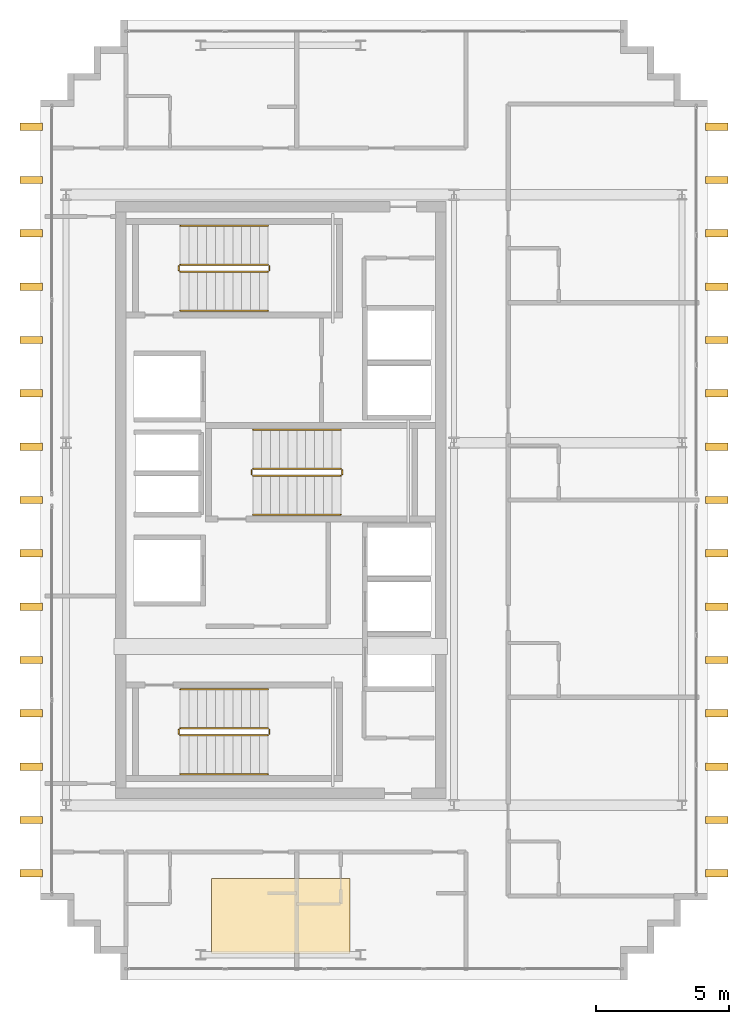
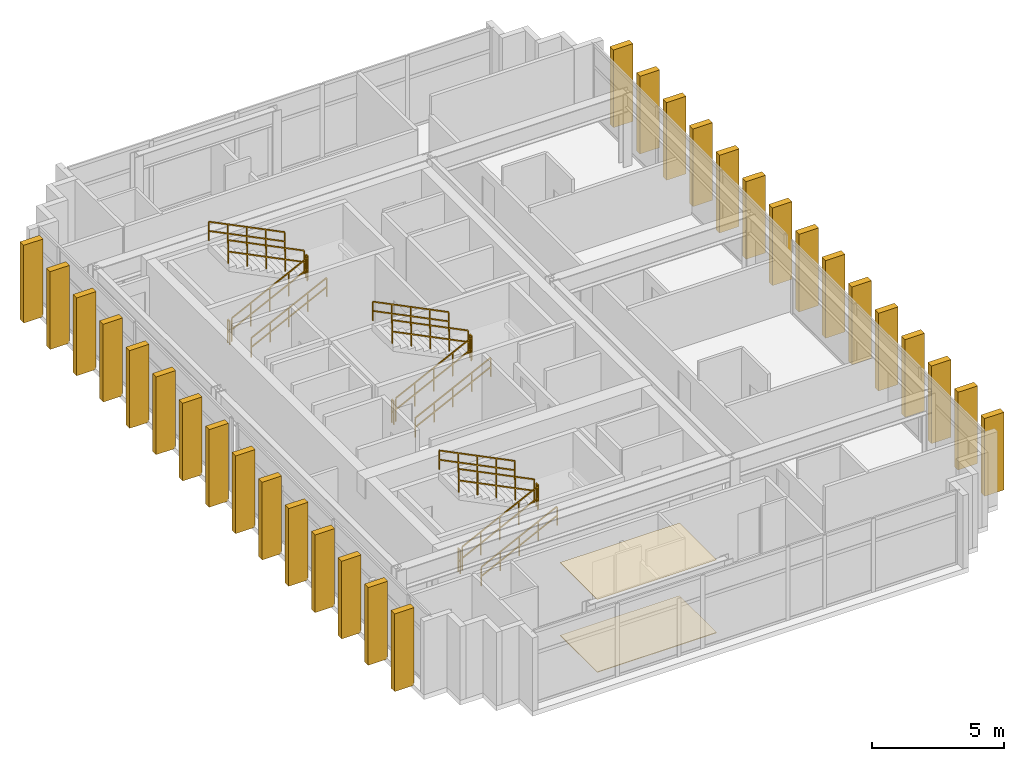
# One storey, part 15 of 15: 30 shading devices, 18 railings, 2 coverings.
"""IFC4 building model written with IfcOpenShell, lengths in metres."""

from ifc_helpers import new_model, si_unit, direction, frame, origin, origin_2d, place, context, subcontext, project, spatial, polyline, rectangle, outline, extrude, source, transform, mapped, material, layer, layer_set, type_object, element, save


model = new_model("IFC4")

# Units and contexts
model_context = context("Model", 3, precision=1e-05, world=origin(), true_north=direction((0.0, 1.0)))
body_context = subcontext(model_context, "Body", "Model", "MODEL_VIEW")
ifc_project = project(units=[si_unit("LENGTHUNIT", "METRE"), si_unit("AREAUNIT", "SQUARE_METRE"), si_unit("VOLUMEUNIT", "CUBIC_METRE"), si_unit("PLANEANGLEUNIT", "RADIAN"), si_unit("MASSUNIT", "GRAM", prefix="KILO")], contexts=[model_context])

# Site, building, storey
site_placement = place(None, origin())
site = spatial("IfcSite", under=ifc_project, at=site_placement, CompositionType="ELEMENT")
building_placement = place(site_placement, origin())
building = spatial("IfcBuilding", under=site, at=building_placement, Name="Ocotamira Hotel", CompositionType="ELEMENT")
storey_placement = place(building_placement, frame((0.0, 0.0, 290.39990234375)))
storey = spatial("IfcBuildingStorey", under=building, at=storey_placement, Name="L74", CompositionType="ELEMENT", Elevation=290.39990234375)

# Coverings
ifc_material_1 = material(Name="Perforated acoustic gypsum ceiling board", Category="gypsum")
ifc_layer_1 = layer(ifc_material_1, 0.02490234375)
ifc_layer_set_1 = layer_set([ifc_layer_1], Name="Perforated acoustic gypsum ceiling board")
covering_type_1 = type_object("IfcCoveringType", Name="COV-CEIL-25", PredefinedType="CEILING", material=ifc_layer_set_1)
covering_1_placement = place(storey_placement, frame((0.0, 0.0, 3.35498046875)))
element("IfcCovering", 1, at=covering_1_placement, inside=storey, type_object=covering_type_1, Name="L74 Acoustic Ceiling", PredefinedType="CEILING", context=body_context, shape_type="SweptSolid", body=[
    extrude(outline(polyline([(14.39990234375, 9.0), (19.60009765625, 9.0), (19.60009765625, 11.800048828125), (14.39990234375, 11.800048828125), (14.39990234375, 9.0)])), origin(), (0.0, 0.0, 1.0), 0.025146484375),
])
ifc_material_2 = material(Name="Honed desert travertine stone flooring", Category="masonry")
ifc_layer_2 = layer(ifc_material_2, 0.030029296875)
ifc_layer_set_2 = layer_set([ifc_layer_2], Name="Honed desert travertine stone flooring")
covering_type_2 = type_object("IfcCoveringType", Name="COV-FLOR-30", PredefinedType="FLOORING", material=ifc_layer_set_2)
covering_2_placement = place(storey_placement, origin())
element("IfcCovering", 2, at=covering_2_placement, inside=storey, type_object=covering_type_2, Name="L74 Honed Stone Floor Finish", PredefinedType="FLOORING", context=body_context, shape_type="SweptSolid", body=[
    extrude(outline(polyline([(14.39990234375, 9.0), (19.60009765625, 9.0), (19.60009765625, 11.800048828125), (14.39990234375, 11.800048828125), (14.39990234375, 9.0)])), origin(), (0.0, 0.0, 1.0), 0.030029296875),
])

# Railings
ifc_material_3 = material(Name="Brushed stainless steel handrail", Category="steel")
railing_type_1 = type_object("IfcRailingType", Name="RL-HAND-900", PredefinedType="HANDRAIL", material=ifc_material_3)
railing_1_placement = place(storey_placement, frame((13.22998046875, 15.719970703125, 0.327392578125)))
element("IfcRailing", 3, at=railing_1_placement, inside=storey, type_object=railing_type_1, Name="L74 ST-1 stair handrail 1", PredefinedType="HANDRAIL", context=body_context, shape_type="SweptSolid", body=[
    extrude(rectangle(XDim=0.048095703125, YDim=0.048095703125, at=origin_2d()), frame((0.0, 0.0, 0.8759765625), z_axis=(0.895920123917, 0.0, 0.444215186098), x_axis=(0.0, 1.0, 0.0)), (0.0, 0.0, 1.0), 3.683349609375),
    extrude(rectangle(XDim=0.048095703125, YDim=0.048095703125, at=origin_2d()), frame((0.0, 0.0, 0.449951171875), z_axis=(0.895920123917, 0.0, 0.444215186098), x_axis=(0.0, 1.0, 0.0)), (0.0, 0.0, 1.0), 3.683349609375),
    extrude(rectangle(XDim=0.0419921875, YDim=0.0419921875, at=origin_2d()), origin(), (0.0, 0.0, 1.0), 0.851806640625),
    extrude(rectangle(XDim=0.0419921875, YDim=0.0419921875, at=origin_2d()), frame((0.824951171875, 0.0, 0.4091796875)), (0.0, 0.0, 1.0), 0.851806640625),
    extrude(rectangle(XDim=0.0419921875, YDim=0.0419921875, at=origin_2d()), frame((1.64990234375, 0.0, 0.818115234375)), (0.0, 0.0, 1.0), 0.851806640625),
    extrude(rectangle(XDim=0.0419921875, YDim=0.0419921875, at=origin_2d()), frame((2.47509765625, 0.0, 1.22705078125)), (0.0, 0.0, 1.0), 0.851806640625),
    extrude(rectangle(XDim=0.0419921875, YDim=0.0419921875, at=origin_2d()), frame((3.300048828125, 0.0, 1.63623046875)), (0.0, 0.0, 1.0), 0.851806640625),
])
railing_2_placement = place(storey_placement, frame((16.530029296875, 18.89990234375, 2.12744140625)))
element("IfcRailing", 4, at=railing_2_placement, inside=storey, type_object=railing_type_1, Name="L74 ST-1 stair handrail 2", PredefinedType="HANDRAIL", context=body_context, shape_type="SweptSolid", body=[
    extrude(rectangle(XDim=0.048095703125, YDim=0.048095703125, at=origin_2d()), frame((0.0, 0.0, 0.8759765625), z_axis=(-0.895920123917, 0.0, 0.444215186098), x_axis=(0.0, -1.0, 0.0)), (0.0, 0.0, 1.0), 3.683349609375),
    extrude(rectangle(XDim=0.048095703125, YDim=0.048095703125, at=origin_2d()), frame((0.0, 0.0, 0.449951171875), z_axis=(-0.895920123917, 0.0, 0.444215186098), x_axis=(0.0, -1.0, 0.0)), (0.0, 0.0, 1.0), 3.683349609375),
    extrude(rectangle(XDim=0.0419921875, YDim=0.0419921875, at=origin_2d()), origin(), (0.0, 0.0, 1.0), 0.851806640625),
    extrude(rectangle(XDim=0.0419921875, YDim=0.0419921875, at=origin_2d()), frame((-0.824951171875, 0.0, 0.4091796875)), (0.0, 0.0, 1.0), 0.851806640625),
    extrude(rectangle(XDim=0.0419921875, YDim=0.0419921875, at=origin_2d()), frame((-1.64990234375, 0.0, 0.818115234375)), (0.0, 0.0, 1.0), 0.851806640625),
    extrude(rectangle(XDim=0.0419921875, YDim=0.0419921875, at=origin_2d()), frame((-2.47509765625, 0.0, 1.22705078125)), (0.0, 0.0, 1.0), 0.851806640625),
    extrude(rectangle(XDim=0.0419921875, YDim=0.0419921875, at=origin_2d()), frame((-3.300048828125, 0.0, 1.63623046875)), (0.0, 0.0, 1.0), 0.851806640625),
])
railing_3_placement = place(storey_placement, frame((13.22998046875, 33.10009765625, 0.327392578125)))
element("IfcRailing", 5, at=railing_3_placement, inside=storey, type_object=railing_type_1, Name="L74 ST-2 stair handrail 1", PredefinedType="HANDRAIL", context=body_context, shape_type="SweptSolid", body=[
    extrude(rectangle(XDim=0.048095703125, YDim=0.048095703125, at=origin_2d()), frame((0.0, 0.0, 0.8759765625), z_axis=(0.895920123917, 0.0, 0.444215186098), x_axis=(0.0, 1.0, 0.0)), (0.0, 0.0, 1.0), 3.683349609375),
    extrude(rectangle(XDim=0.048095703125, YDim=0.048095703125, at=origin_2d()), frame((0.0, 0.0, 0.449951171875), z_axis=(0.895920123917, 0.0, 0.444215186098), x_axis=(0.0, 1.0, 0.0)), (0.0, 0.0, 1.0), 3.683349609375),
    extrude(rectangle(XDim=0.0419921875, YDim=0.0419921875, at=origin_2d()), origin(), (0.0, 0.0, 1.0), 0.851806640625),
    extrude(rectangle(XDim=0.0419921875, YDim=0.0419921875, at=origin_2d()), frame((0.824951171875, 0.0, 0.4091796875)), (0.0, 0.0, 1.0), 0.851806640625),
    extrude(rectangle(XDim=0.0419921875, YDim=0.0419921875, at=origin_2d()), frame((1.64990234375, 0.0, 0.818115234375)), (0.0, 0.0, 1.0), 0.851806640625),
    extrude(rectangle(XDim=0.0419921875, YDim=0.0419921875, at=origin_2d()), frame((2.47509765625, 0.0, 1.22705078125)), (0.0, 0.0, 1.0), 0.851806640625),
    extrude(rectangle(XDim=0.0419921875, YDim=0.0419921875, at=origin_2d()), frame((3.300048828125, 0.0, 1.63623046875)), (0.0, 0.0, 1.0), 0.851806640625),
])
railing_4_placement = place(storey_placement, frame((16.530029296875, 36.280029296875, 2.12744140625)))
element("IfcRailing", 6, at=railing_4_placement, inside=storey, type_object=railing_type_1, Name="L74 ST-2 stair handrail 2", PredefinedType="HANDRAIL", context=body_context, shape_type="SweptSolid", body=[
    extrude(rectangle(XDim=0.048095703125, YDim=0.048095703125, at=origin_2d()), frame((0.0, 0.0, 0.8759765625), z_axis=(-0.895920123917, 0.0, 0.444215186098), x_axis=(0.0, -1.0, 0.0)), (0.0, 0.0, 1.0), 3.683349609375),
    extrude(rectangle(XDim=0.048095703125, YDim=0.048095703125, at=origin_2d()), frame((0.0, 0.0, 0.449951171875), z_axis=(-0.895920123917, 0.0, 0.444215186098), x_axis=(0.0, -1.0, 0.0)), (0.0, 0.0, 1.0), 3.683349609375),
    extrude(rectangle(XDim=0.0419921875, YDim=0.0419921875, at=origin_2d()), origin(), (0.0, 0.0, 1.0), 0.851806640625),
    extrude(rectangle(XDim=0.0419921875, YDim=0.0419921875, at=origin_2d()), frame((-0.824951171875, 0.0, 0.4091796875)), (0.0, 0.0, 1.0), 0.851806640625),
    extrude(rectangle(XDim=0.0419921875, YDim=0.0419921875, at=origin_2d()), frame((-1.64990234375, 0.0, 0.818115234375)), (0.0, 0.0, 1.0), 0.851806640625),
    extrude(rectangle(XDim=0.0419921875, YDim=0.0419921875, at=origin_2d()), frame((-2.47509765625, 0.0, 1.22705078125)), (0.0, 0.0, 1.0), 0.851806640625),
    extrude(rectangle(XDim=0.0419921875, YDim=0.0419921875, at=origin_2d()), frame((-3.300048828125, 0.0, 1.63623046875)), (0.0, 0.0, 1.0), 0.851806640625),
])
railing_5_placement = place(storey_placement, frame((15.9599609375, 25.449951171875, 0.327392578125)))
element("IfcRailing", 7, at=railing_5_placement, inside=storey, type_object=railing_type_1, Name="L74 ST-3 stair handrail 1", PredefinedType="HANDRAIL", context=body_context, shape_type="SweptSolid", body=[
    extrude(rectangle(XDim=0.048095703125, YDim=0.048095703125, at=origin_2d()), frame((0.0, 0.0, 0.8759765625), z_axis=(0.895920123917, 0.0, 0.444215186098), x_axis=(0.0, 1.0, 0.0)), (0.0, 0.0, 1.0), 3.683349609375),
    extrude(rectangle(XDim=0.048095703125, YDim=0.048095703125, at=origin_2d()), frame((0.0, 0.0, 0.449951171875), z_axis=(0.895920123917, 0.0, 0.444215186098), x_axis=(0.0, 1.0, 0.0)), (0.0, 0.0, 1.0), 3.683349609375),
    extrude(rectangle(XDim=0.0419921875, YDim=0.0419921875, at=origin_2d()), origin(), (0.0, 0.0, 1.0), 0.851806640625),
    extrude(rectangle(XDim=0.0419921875, YDim=0.0419921875, at=origin_2d()), frame((0.824951171875, 0.0, 0.4091796875)), (0.0, 0.0, 1.0), 0.851806640625),
    extrude(rectangle(XDim=0.0419921875, YDim=0.0419921875, at=origin_2d()), frame((1.64990234375, 0.0, 0.818115234375)), (0.0, 0.0, 1.0), 0.851806640625),
    extrude(rectangle(XDim=0.0419921875, YDim=0.0419921875, at=origin_2d()), frame((2.47509765625, 0.0, 1.22705078125)), (0.0, 0.0, 1.0), 0.851806640625),
    extrude(rectangle(XDim=0.0419921875, YDim=0.0419921875, at=origin_2d()), frame((3.300048828125, 0.0, 1.63623046875)), (0.0, 0.0, 1.0), 0.851806640625),
])
railing_6_placement = place(storey_placement, frame((19.260009765625, 28.6298828125, 2.12744140625)))
element("IfcRailing", 8, at=railing_6_placement, inside=storey, type_object=railing_type_1, Name="L74 ST-3 stair handrail 2", PredefinedType="HANDRAIL", context=body_context, shape_type="SweptSolid", body=[
    extrude(rectangle(XDim=0.048095703125, YDim=0.048095703125, at=origin_2d()), frame((0.0, 0.0, 0.8759765625), z_axis=(-0.895920123917, 0.0, 0.444215186098), x_axis=(0.0, -1.0, 0.0)), (0.0, 0.0, 1.0), 3.683349609375),
    extrude(rectangle(XDim=0.048095703125, YDim=0.048095703125, at=origin_2d()), frame((0.0, 0.0, 0.449951171875), z_axis=(-0.895920123917, 0.0, 0.444215186098), x_axis=(0.0, -1.0, 0.0)), (0.0, 0.0, 1.0), 3.683349609375),
    extrude(rectangle(XDim=0.0419921875, YDim=0.0419921875, at=origin_2d()), origin(), (0.0, 0.0, 1.0), 0.851806640625),
    extrude(rectangle(XDim=0.0419921875, YDim=0.0419921875, at=origin_2d()), frame((-0.824951171875, 0.0, 0.4091796875)), (0.0, 0.0, 1.0), 0.851806640625),
    extrude(rectangle(XDim=0.0419921875, YDim=0.0419921875, at=origin_2d()), frame((-1.64990234375, 0.0, 0.818115234375)), (0.0, 0.0, 1.0), 0.851806640625),
    extrude(rectangle(XDim=0.0419921875, YDim=0.0419921875, at=origin_2d()), frame((-2.47509765625, 0.0, 1.22705078125)), (0.0, 0.0, 1.0), 0.851806640625),
    extrude(rectangle(XDim=0.0419921875, YDim=0.0419921875, at=origin_2d()), frame((-3.300048828125, 0.0, 1.63623046875)), (0.0, 0.0, 1.0), 0.851806640625),
])
ifc_material_4 = material(Name="Painted steel stair guardrail", Category="steel")
railing_type_2 = type_object("IfcRailingType", Name="RL-STAIR-1100", PredefinedType="GUARDRAIL", material=ifc_material_4)
railing_7_placement = place(storey_placement, frame((13.22998046875, 17.179931640625, 0.163818359375)))
element("IfcRailing", 9, at=railing_7_placement, inside=storey, type_object=railing_type_2, Name="L74 ST-1 stair guard 1", PredefinedType="GUARDRAIL", context=body_context, shape_type="SweptSolid", body=[
    extrude(rectangle(XDim=0.048095703125, YDim=0.048095703125, at=origin_2d()), frame((0.0, 0.0, 1.076171875), z_axis=(0.895920123917, 0.0, 0.444215186098), x_axis=(0.0, 1.0, 0.0)), (0.0, 0.0, 1.0), 3.683349609375),
    extrude(rectangle(XDim=0.048095703125, YDim=0.048095703125, at=origin_2d()), frame((0.0, 0.0, 0.550048828125), z_axis=(0.895920123917, 0.0, 0.444215186098), x_axis=(0.0, 1.0, 0.0)), (0.0, 0.0, 1.0), 3.683349609375),
    extrude(rectangle(XDim=0.0419921875, YDim=0.0419921875, at=origin_2d()), origin(), (0.0, 0.0, 1.0), 1.052001953125),
    extrude(rectangle(XDim=0.0419921875, YDim=0.0419921875, at=origin_2d()), frame((0.824951171875, 0.0, 0.4091796875)), (0.0, 0.0, 1.0), 1.052001953125),
    extrude(rectangle(XDim=0.0419921875, YDim=0.0419921875, at=origin_2d()), frame((1.64990234375, 0.0, 0.818115234375)), (0.0, 0.0, 1.0), 1.052001953125),
    extrude(rectangle(XDim=0.0419921875, YDim=0.0419921875, at=origin_2d()), frame((2.47509765625, 0.0, 1.22705078125)), (0.0, 0.0, 1.0), 1.052001953125),
    extrude(rectangle(XDim=0.0419921875, YDim=0.0419921875, at=origin_2d()), frame((3.300048828125, 0.0, 1.63623046875)), (0.0, 0.0, 1.0), 1.052001953125),
])
railing_8_placement = place(storey_placement, frame((16.580078125, 17.22998046875, 1.800048828125)))
element("IfcRailing", 10, at=railing_8_placement, inside=storey, type_object=railing_type_2, Name="L74 ST-1 stair guard 2", PredefinedType="GUARDRAIL", context=body_context, shape_type="SweptSolid", body=[
    extrude(rectangle(XDim=0.048095703125, YDim=0.048095703125, at=origin_2d()), frame((0.0, 0.0, 1.076171875), z_axis=(0.0, 1.0, 0.0), x_axis=(-1.0, 0.0, 0.0)), (0.0, 0.0, 1.0), 0.159912109375),
    extrude(rectangle(XDim=0.048095703125, YDim=0.048095703125, at=origin_2d()), frame((0.0, 0.0, 0.550048828125), z_axis=(0.0, 1.0, 0.0), x_axis=(-1.0, 0.0, 0.0)), (0.0, 0.0, 1.0), 0.159912109375),
    extrude(rectangle(XDim=0.0419921875, YDim=0.0419921875, at=origin_2d()), origin(), (0.0, 0.0, 1.0), 1.052001953125),
    extrude(rectangle(XDim=0.0419921875, YDim=0.0419921875, at=origin_2d()), frame((0.0, 0.159912109375, 0.0)), (0.0, 0.0, 1.0), 1.052001953125),
])
railing_9_placement = place(storey_placement, frame((16.530029296875, 17.43994140625, 1.963623046875)))
element("IfcRailing", 11, at=railing_9_placement, inside=storey, type_object=railing_type_2, Name="L74 ST-1 stair guard 3", PredefinedType="GUARDRAIL", context=body_context, shape_type="SweptSolid", body=[
    extrude(rectangle(XDim=0.048095703125, YDim=0.048095703125, at=origin_2d()), frame((0.0, 0.0, 1.076171875), z_axis=(-0.895893744519, 0.0, 0.4442683857), x_axis=(0.0, -1.0, 0.0)), (0.0, 0.0, 1.0), 3.68359375),
    extrude(rectangle(XDim=0.048095703125, YDim=0.048095703125, at=origin_2d()), frame((0.0, 0.0, 0.550048828125), z_axis=(-0.895893744519, 0.0, 0.4442683857), x_axis=(0.0, -1.0, 0.0)), (0.0, 0.0, 1.0), 3.68359375),
    extrude(rectangle(XDim=0.0419921875, YDim=0.0419921875, at=origin_2d()), origin(), (0.0, 0.0, 1.0), 1.052001953125),
    extrude(rectangle(XDim=0.0419921875, YDim=0.0419921875, at=origin_2d()), frame((-0.824951171875, 0.0, 0.4091796875)), (0.0, 0.0, 1.0), 1.052001953125),
    extrude(rectangle(XDim=0.0419921875, YDim=0.0419921875, at=origin_2d()), frame((-1.64990234375, 0.0, 0.818359375)), (0.0, 0.0, 1.0), 1.052001953125),
    extrude(rectangle(XDim=0.0419921875, YDim=0.0419921875, at=origin_2d()), frame((-2.47509765625, 0.0, 1.227294921875)), (0.0, 0.0, 1.0), 1.052001953125),
    extrude(rectangle(XDim=0.0419921875, YDim=0.0419921875, at=origin_2d()), frame((-3.300048828125, 0.0, 1.636474609375)), (0.0, 0.0, 1.0), 1.052001953125),
])
railing_10_placement = place(storey_placement, frame((13.179931640625, 17.22998046875, 0.0)))
element("IfcRailing", 12, at=railing_10_placement, inside=storey, type_object=railing_type_2, Name="L74 ST-1 stair guard 4", PredefinedType="GUARDRAIL", context=body_context, shape_type="SweptSolid", body=[
    extrude(rectangle(XDim=0.048095703125, YDim=0.048095703125, at=origin_2d()), frame((0.0, 0.0, 1.076171875), z_axis=(0.0, 1.0, 0.0), x_axis=(-1.0, 0.0, 0.0)), (0.0, 0.0, 1.0), 0.159912109375),
    extrude(rectangle(XDim=0.048095703125, YDim=0.048095703125, at=origin_2d()), frame((0.0, 0.0, 0.550048828125), z_axis=(0.0, 1.0, 0.0), x_axis=(-1.0, 0.0, 0.0)), (0.0, 0.0, 1.0), 0.159912109375),
    extrude(rectangle(XDim=0.0419921875, YDim=0.0419921875, at=origin_2d()), origin(), (0.0, 0.0, 1.0), 1.052001953125),
    extrude(rectangle(XDim=0.0419921875, YDim=0.0419921875, at=origin_2d()), frame((0.0, 0.159912109375, 0.0)), (0.0, 0.0, 1.0), 1.052001953125),
])
railing_11_placement = place(storey_placement, frame((13.22998046875, 34.56005859375, 0.163818359375)))
element("IfcRailing", 13, at=railing_11_placement, inside=storey, type_object=railing_type_2, Name="L74 ST-2 stair guard 1", PredefinedType="GUARDRAIL", context=body_context, shape_type="SweptSolid", body=[
    extrude(rectangle(XDim=0.048095703125, YDim=0.048095703125, at=origin_2d()), frame((0.0, 0.0, 1.076171875), z_axis=(0.895920123917, 0.0, 0.444215186098), x_axis=(0.0, 1.0, 0.0)), (0.0, 0.0, 1.0), 3.683349609375),
    extrude(rectangle(XDim=0.048095703125, YDim=0.048095703125, at=origin_2d()), frame((0.0, 0.0, 0.550048828125), z_axis=(0.895920123917, 0.0, 0.444215186098), x_axis=(0.0, 1.0, 0.0)), (0.0, 0.0, 1.0), 3.683349609375),
    extrude(rectangle(XDim=0.0419921875, YDim=0.0419921875, at=origin_2d()), origin(), (0.0, 0.0, 1.0), 1.052001953125),
    extrude(rectangle(XDim=0.0419921875, YDim=0.0419921875, at=origin_2d()), frame((0.824951171875, 0.0, 0.4091796875)), (0.0, 0.0, 1.0), 1.052001953125),
    extrude(rectangle(XDim=0.0419921875, YDim=0.0419921875, at=origin_2d()), frame((1.64990234375, 0.0, 0.818115234375)), (0.0, 0.0, 1.0), 1.052001953125),
    extrude(rectangle(XDim=0.0419921875, YDim=0.0419921875, at=origin_2d()), frame((2.47509765625, 0.0, 1.22705078125)), (0.0, 0.0, 1.0), 1.052001953125),
    extrude(rectangle(XDim=0.0419921875, YDim=0.0419921875, at=origin_2d()), frame((3.300048828125, 0.0, 1.63623046875)), (0.0, 0.0, 1.0), 1.052001953125),
])
railing_12_placement = place(storey_placement, frame((16.580078125, 34.610107421875, 1.800048828125)))
element("IfcRailing", 14, at=railing_12_placement, inside=storey, type_object=railing_type_2, Name="L74 ST-2 stair guard 2", PredefinedType="GUARDRAIL", context=body_context, shape_type="SweptSolid", body=[
    extrude(rectangle(XDim=0.048095703125, YDim=0.048095703125, at=origin_2d()), frame((0.0, 0.0, 1.076171875), z_axis=(0.0, 1.0, 0.0), x_axis=(-1.0, 0.0, 0.0)), (0.0, 0.0, 1.0), 0.159912109375),
    extrude(rectangle(XDim=0.048095703125, YDim=0.048095703125, at=origin_2d()), frame((0.0, 0.0, 0.550048828125), z_axis=(0.0, 1.0, 0.0), x_axis=(-1.0, 0.0, 0.0)), (0.0, 0.0, 1.0), 0.159912109375),
    extrude(rectangle(XDim=0.0419921875, YDim=0.0419921875, at=origin_2d()), origin(), (0.0, 0.0, 1.0), 1.052001953125),
    extrude(rectangle(XDim=0.0419921875, YDim=0.0419921875, at=origin_2d()), frame((0.0, 0.159912109375, 0.0)), (0.0, 0.0, 1.0), 1.052001953125),
])
railing_13_placement = place(storey_placement, frame((16.530029296875, 34.820068359375, 1.963623046875)))
element("IfcRailing", 15, at=railing_13_placement, inside=storey, type_object=railing_type_2, Name="L74 ST-2 stair guard 3", PredefinedType="GUARDRAIL", context=body_context, shape_type="SweptSolid", body=[
    extrude(rectangle(XDim=0.048095703125, YDim=0.048095703125, at=origin_2d()), frame((0.0, 0.0, 1.076171875), z_axis=(-0.895893744519, 0.0, 0.4442683857), x_axis=(0.0, -1.0, 0.0)), (0.0, 0.0, 1.0), 3.68359375),
    extrude(rectangle(XDim=0.048095703125, YDim=0.048095703125, at=origin_2d()), frame((0.0, 0.0, 0.550048828125), z_axis=(-0.895893744519, 0.0, 0.4442683857), x_axis=(0.0, -1.0, 0.0)), (0.0, 0.0, 1.0), 3.68359375),
    extrude(rectangle(XDim=0.0419921875, YDim=0.0419921875, at=origin_2d()), origin(), (0.0, 0.0, 1.0), 1.052001953125),
    extrude(rectangle(XDim=0.0419921875, YDim=0.0419921875, at=origin_2d()), frame((-0.824951171875, 0.0, 0.4091796875)), (0.0, 0.0, 1.0), 1.052001953125),
    extrude(rectangle(XDim=0.0419921875, YDim=0.0419921875, at=origin_2d()), frame((-1.64990234375, 0.0, 0.818359375)), (0.0, 0.0, 1.0), 1.052001953125),
    extrude(rectangle(XDim=0.0419921875, YDim=0.0419921875, at=origin_2d()), frame((-2.47509765625, 0.0, 1.227294921875)), (0.0, 0.0, 1.0), 1.052001953125),
    extrude(rectangle(XDim=0.0419921875, YDim=0.0419921875, at=origin_2d()), frame((-3.300048828125, 0.0, 1.636474609375)), (0.0, 0.0, 1.0), 1.052001953125),
])
railing_14_placement = place(storey_placement, frame((13.179931640625, 34.610107421875, 0.0)))
element("IfcRailing", 16, at=railing_14_placement, inside=storey, type_object=railing_type_2, Name="L74 ST-2 stair guard 4", PredefinedType="GUARDRAIL", context=body_context, shape_type="SweptSolid", body=[
    extrude(rectangle(XDim=0.048095703125, YDim=0.048095703125, at=origin_2d()), frame((0.0, 0.0, 1.076171875), z_axis=(0.0, 1.0, 0.0), x_axis=(-1.0, 0.0, 0.0)), (0.0, 0.0, 1.0), 0.159912109375),
    extrude(rectangle(XDim=0.048095703125, YDim=0.048095703125, at=origin_2d()), frame((0.0, 0.0, 0.550048828125), z_axis=(0.0, 1.0, 0.0), x_axis=(-1.0, 0.0, 0.0)), (0.0, 0.0, 1.0), 0.159912109375),
    extrude(rectangle(XDim=0.0419921875, YDim=0.0419921875, at=origin_2d()), origin(), (0.0, 0.0, 1.0), 1.052001953125),
    extrude(rectangle(XDim=0.0419921875, YDim=0.0419921875, at=origin_2d()), frame((0.0, 0.159912109375, 0.0)), (0.0, 0.0, 1.0), 1.052001953125),
])
railing_15_placement = place(storey_placement, frame((15.9599609375, 26.909912109375, 0.163818359375)))
element("IfcRailing", 17, at=railing_15_placement, inside=storey, type_object=railing_type_2, Name="L74 ST-3 stair guard 1", PredefinedType="GUARDRAIL", context=body_context, shape_type="SweptSolid", body=[
    extrude(rectangle(XDim=0.048095703125, YDim=0.048095703125, at=origin_2d()), frame((0.0, 0.0, 1.076171875), z_axis=(0.895920123917, 0.0, 0.444215186098), x_axis=(0.0, 1.0, 0.0)), (0.0, 0.0, 1.0), 3.683349609375),
    extrude(rectangle(XDim=0.048095703125, YDim=0.048095703125, at=origin_2d()), frame((0.0, 0.0, 0.550048828125), z_axis=(0.895920123917, 0.0, 0.444215186098), x_axis=(0.0, 1.0, 0.0)), (0.0, 0.0, 1.0), 3.683349609375),
    extrude(rectangle(XDim=0.0419921875, YDim=0.0419921875, at=origin_2d()), origin(), (0.0, 0.0, 1.0), 1.052001953125),
    extrude(rectangle(XDim=0.0419921875, YDim=0.0419921875, at=origin_2d()), frame((0.824951171875, 0.0, 0.4091796875)), (0.0, 0.0, 1.0), 1.052001953125),
    extrude(rectangle(XDim=0.0419921875, YDim=0.0419921875, at=origin_2d()), frame((1.64990234375, 0.0, 0.818115234375)), (0.0, 0.0, 1.0), 1.052001953125),
    extrude(rectangle(XDim=0.0419921875, YDim=0.0419921875, at=origin_2d()), frame((2.47509765625, 0.0, 1.22705078125)), (0.0, 0.0, 1.0), 1.052001953125),
    extrude(rectangle(XDim=0.0419921875, YDim=0.0419921875, at=origin_2d()), frame((3.300048828125, 0.0, 1.63623046875)), (0.0, 0.0, 1.0), 1.052001953125),
])
railing_16_placement = place(storey_placement, frame((19.31005859375, 26.9599609375, 1.800048828125)))
element("IfcRailing", 18, at=railing_16_placement, inside=storey, type_object=railing_type_2, Name="L74 ST-3 stair guard 2", PredefinedType="GUARDRAIL", context=body_context, shape_type="SweptSolid", body=[
    extrude(rectangle(XDim=0.048095703125, YDim=0.048095703125, at=origin_2d()), frame((0.0, 0.0, 1.076171875), z_axis=(0.0, 1.0, 0.0), x_axis=(-1.0, 0.0, 0.0)), (0.0, 0.0, 1.0), 0.16015625),
    extrude(rectangle(XDim=0.048095703125, YDim=0.048095703125, at=origin_2d()), frame((0.0, 0.0, 0.550048828125), z_axis=(0.0, 1.0, 0.0), x_axis=(-1.0, 0.0, 0.0)), (0.0, 0.0, 1.0), 0.16015625),
    extrude(rectangle(XDim=0.0419921875, YDim=0.0419921875, at=origin_2d()), origin(), (0.0, 0.0, 1.0), 1.052001953125),
    extrude(rectangle(XDim=0.0419921875, YDim=0.0419921875, at=origin_2d()), frame((0.0, 0.16015625, 0.0)), (0.0, 0.0, 1.0), 1.052001953125),
])
railing_17_placement = place(storey_placement, frame((19.260009765625, 27.169921875, 1.963623046875)))
element("IfcRailing", 19, at=railing_17_placement, inside=storey, type_object=railing_type_2, Name="L74 ST-3 stair guard 3", PredefinedType="GUARDRAIL", context=body_context, shape_type="SweptSolid", body=[
    extrude(rectangle(XDim=0.048095703125, YDim=0.048095703125, at=origin_2d()), frame((0.0, 0.0, 1.076171875), z_axis=(-0.895893744519, 0.0, 0.4442683857), x_axis=(0.0, -1.0, 0.0)), (0.0, 0.0, 1.0), 3.68359375),
    extrude(rectangle(XDim=0.048095703125, YDim=0.048095703125, at=origin_2d()), frame((0.0, 0.0, 0.550048828125), z_axis=(-0.895893744519, 0.0, 0.4442683857), x_axis=(0.0, -1.0, 0.0)), (0.0, 0.0, 1.0), 3.68359375),
    extrude(rectangle(XDim=0.0419921875, YDim=0.0419921875, at=origin_2d()), origin(), (0.0, 0.0, 1.0), 1.052001953125),
    extrude(rectangle(XDim=0.0419921875, YDim=0.0419921875, at=origin_2d()), frame((-0.824951171875, 0.0, 0.4091796875)), (0.0, 0.0, 1.0), 1.052001953125),
    extrude(rectangle(XDim=0.0419921875, YDim=0.0419921875, at=origin_2d()), frame((-1.64990234375, 0.0, 0.818359375)), (0.0, 0.0, 1.0), 1.052001953125),
    extrude(rectangle(XDim=0.0419921875, YDim=0.0419921875, at=origin_2d()), frame((-2.47509765625, 0.0, 1.227294921875)), (0.0, 0.0, 1.0), 1.052001953125),
    extrude(rectangle(XDim=0.0419921875, YDim=0.0419921875, at=origin_2d()), frame((-3.300048828125, 0.0, 1.636474609375)), (0.0, 0.0, 1.0), 1.052001953125),
])
railing_18_placement = place(storey_placement, frame((15.909912109375, 26.9599609375, 0.0)))
element("IfcRailing", 20, at=railing_18_placement, inside=storey, type_object=railing_type_2, Name="L74 ST-3 stair guard 4", PredefinedType="GUARDRAIL", context=body_context, shape_type="SweptSolid", body=[
    extrude(rectangle(XDim=0.048095703125, YDim=0.048095703125, at=origin_2d()), frame((0.0, 0.0, 1.076171875), z_axis=(0.0, 1.0, 0.0), x_axis=(-1.0, 0.0, 0.0)), (0.0, 0.0, 1.0), 0.16015625),
    extrude(rectangle(XDim=0.048095703125, YDim=0.048095703125, at=origin_2d()), frame((0.0, 0.0, 0.550048828125), z_axis=(0.0, 1.0, 0.0), x_axis=(-1.0, 0.0, 0.0)), (0.0, 0.0, 1.0), 0.16015625),
    extrude(rectangle(XDim=0.0419921875, YDim=0.0419921875, at=origin_2d()), origin(), (0.0, 0.0, 1.0), 1.052001953125),
    extrude(rectangle(XDim=0.0419921875, YDim=0.0419921875, at=origin_2d()), frame((0.0, 0.16015625, 0.0)), (0.0, 0.0, 1.0), 1.052001953125),
])

# Shading devices
ifc_material_5 = material(Name="Pale-metal anodised aluminium architectural fin", Category="aluminium")
shading_device_type = type_object("IfcShadingDeviceType", Name="SHD-PIER-850", PredefinedType="USERDEFINED", material=ifc_material_5)
shared_shape = source(origin(), body_context, "Body", "SweptSolid", [
    extrude(rectangle(XDim=0.85009765625, YDim=0.280029296875, at=origin_2d()), origin(), (0.0, 0.0, 1.0), 3.580078125),
])
for number, where, z_axis, x_axis, name in (
    (21, (7.64990234375, 12.0, -0.099853515625), (0.0, 0.0, 1.0), (1.0, 0.0, 0.0), "L74 West Peak Vertical Pier X7 Y12"),
    (22, (33.35009765625, 12.0, -0.099853515625), (0.0, 0.0, 1.0), (1.0, 0.0, 0.0), "L74 West Peak Vertical Pier X33 Y12"),
    (23, (7.64990234375, 14.0, -0.099853515625), (0.0, 0.0, 1.0), (1.0, 0.0, 0.0), "L74 West Peak Vertical Pier X7 Y14"),
    (24, (33.35009765625, 14.0, -0.099853515625), (0.0, 0.0, 1.0), (1.0, 0.0, 0.0), "L74 West Peak Vertical Pier X33 Y14"),
    (25, (7.64990234375, 16.0, -0.099853515625), (0.0, 0.0, 1.0), (1.0, 0.0, 0.0), "L74 West Peak Vertical Pier X7 Y16"),
    (26, (33.35009765625, 16.0, -0.099853515625), (0.0, 0.0, 1.0), (1.0, 0.0, 0.0), "L74 West Peak Vertical Pier X33 Y16"),
    (27, (7.64990234375, 18.0, -0.099853515625), (0.0, 0.0, 1.0), (1.0, 0.0, 0.0), "L74 West Peak Vertical Pier X7 Y18"),
    (28, (33.35009765625, 18.0, -0.099853515625), (0.0, 0.0, 1.0), (1.0, 0.0, 0.0), "L74 West Peak Vertical Pier X33 Y18"),
    (29, (7.64990234375, 20.0, -0.099853515625), (0.0, 0.0, 1.0), (1.0, 0.0, 0.0), "L74 West Peak Vertical Pier X7 Y20"),
    (30, (33.35009765625, 20.0, -0.099853515625), (0.0, 0.0, 1.0), (1.0, 0.0, 0.0), "L74 West Peak Vertical Pier X33 Y20"),
    (31, (7.64990234375, 22.0, -0.099853515625), (0.0, 0.0, 1.0), (1.0, 0.0, 0.0), "L74 West Peak Vertical Pier X7 Y22"),
    (32, (33.35009765625, 22.0, -0.099853515625), (0.0, 0.0, 1.0), (1.0, 0.0, 0.0), "L74 West Peak Vertical Pier X33 Y22"),
    (33, (7.64990234375, 24.0, -0.099853515625), (0.0, 0.0, 1.0), (1.0, 0.0, 0.0), "L74 West Peak Vertical Pier X7 Y24"),
    (34, (33.35009765625, 24.0, -0.099853515625), (0.0, 0.0, 1.0), (1.0, 0.0, 0.0), "L74 West Peak Vertical Pier X33 Y24"),
    (35, (7.64990234375, 26.0, -0.099853515625), (0.0, 0.0, 1.0), (1.0, 0.0, 0.0), "L74 West Peak Vertical Pier X7 Y26"),
    (36, (33.35009765625, 26.0, -0.099853515625), (0.0, 0.0, 1.0), (1.0, 0.0, 0.0), "L74 West Peak Vertical Pier X33 Y26"),
    (37, (7.64990234375, 28.0, -0.099853515625), (0.0, 0.0, 1.0), (1.0, 0.0, 0.0), "L74 West Peak Vertical Pier X7 Y28"),
    (38, (33.35009765625, 28.0, -0.099853515625), (0.0, 0.0, 1.0), (1.0, 0.0, 0.0), "L74 West Peak Vertical Pier X33 Y28"),
    (39, (7.64990234375, 30.0, -0.099853515625), (0.0, 0.0, 1.0), (1.0, 0.0, 0.0), "L74 West Peak Vertical Pier X7 Y30"),
    (40, (33.35009765625, 30.0, -0.099853515625), (0.0, 0.0, 1.0), (1.0, 0.0, 0.0), "L74 West Peak Vertical Pier X33 Y30"),
    (41, (7.64990234375, 32.0, -0.099853515625), (0.0, 0.0, 1.0), (1.0, 0.0, 0.0), "L74 West Peak Vertical Pier X7 Y32"),
    (42, (33.35009765625, 32.0, -0.099853515625), (0.0, 0.0, 1.0), (1.0, 0.0, 0.0), "L74 West Peak Vertical Pier X33 Y32"),
    (43, (7.64990234375, 34.0, -0.099853515625), (0.0, 0.0, 1.0), (1.0, 0.0, 0.0), "L74 West Peak Vertical Pier X7 Y34"),
    (44, (33.35009765625, 34.0, -0.099853515625), (0.0, 0.0, 1.0), (1.0, 0.0, 0.0), "L74 West Peak Vertical Pier X33 Y34"),
    (45, (7.64990234375, 36.0, -0.099853515625), (0.0, 0.0, 1.0), (1.0, 0.0, 0.0), "L74 West Peak Vertical Pier X7 Y36"),
    (46, (33.35009765625, 36.0, -0.099853515625), (0.0, 0.0, 1.0), (1.0, 0.0, 0.0), "L74 West Peak Vertical Pier X33 Y36"),
    (47, (7.64990234375, 38.0, -0.099853515625), (0.0, 0.0, 1.0), (1.0, 0.0, 0.0), "L74 West Peak Vertical Pier X7 Y38"),
    (48, (33.35009765625, 38.0, -0.099853515625), (0.0, 0.0, 1.0), (1.0, 0.0, 0.0), "L74 West Peak Vertical Pier X33 Y38"),
    (49, (7.64990234375, 40.0, -0.099853515625), (0.0, 0.0, 1.0), (1.0, 0.0, 0.0), "L74 West Peak Vertical Pier X7 Y40"),
    (50, (33.35009765625, 40.0, -0.099853515625), (0.0, 0.0, 1.0), (1.0, 0.0, 0.0), "L74 West Peak Vertical Pier X33 Y40"),
):
    element("IfcShadingDevice", number, at=place(storey_placement, frame(where, z_axis=z_axis, x_axis=x_axis)), inside=storey, type_object=shading_device_type, Name=name, ObjectType="FIN", PredefinedType="USERDEFINED", context=body_context, shape_type="MappedRepresentation", body=[
        mapped(shared_shape, transform((0.0, 0.0, 0.0), scale=1.0)),
    ])

save(model, "model.ifc")
